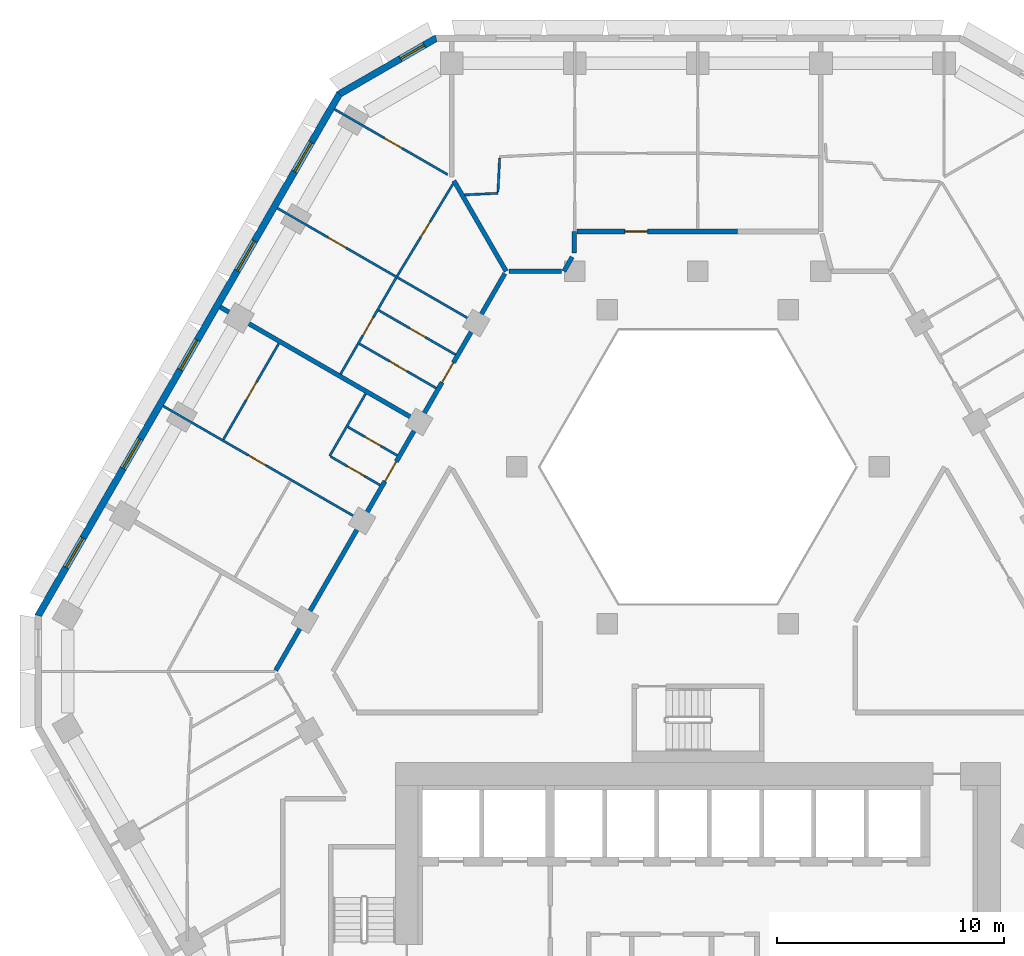
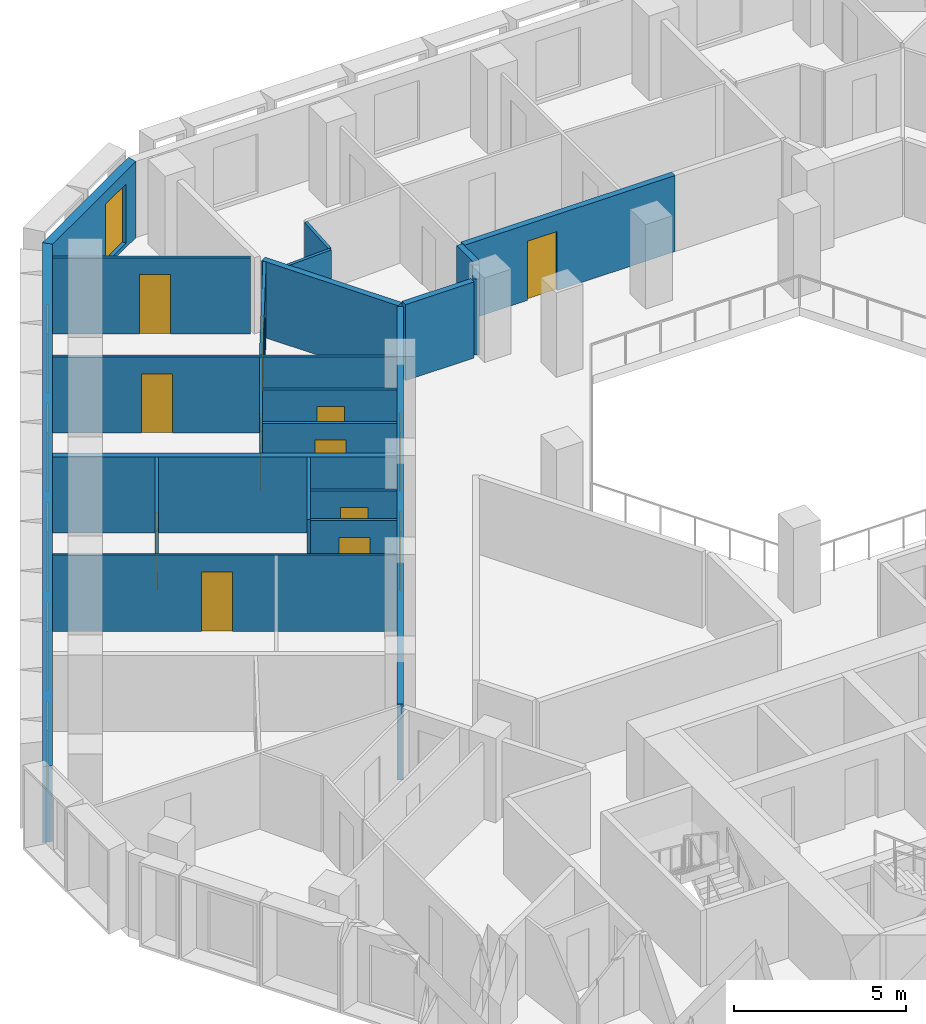
# One storey, part 8 of 16: 22 walls, 13 doors, 6 windows, 19 openings.
"""IFC4 building model written with IfcOpenShell, lengths in metres."""

from ifc_helpers import new_model, si_unit, direction, frame, frame_2d, origin, place, context, subcontext, project, spatial, polyline, rectangle, outline, extrude, material, layer, layer_set, type_object, element, fill, save


model = new_model("IFC4")

# Units and contexts
model_context = context("Model", 3, precision=1e-05, world=origin(), true_north=direction((0.0, 1.0)))
body_context = subcontext(model_context, "Body", "Model", "MODEL_VIEW")
ifc_project = project(units=[si_unit("LENGTHUNIT", "METRE"), si_unit("AREAUNIT", "SQUARE_METRE"), si_unit("VOLUMEUNIT", "CUBIC_METRE"), si_unit("PLANEANGLEUNIT", "RADIAN"), si_unit("MASSUNIT", "GRAM", prefix="KILO")], contexts=[model_context])

# Site, building, storey
site_placement = place(None, origin())
site = spatial("IfcSite", under=ifc_project, at=site_placement, CompositionType="ELEMENT")
building_placement = place(site_placement, origin())
building = spatial("IfcBuilding", under=site, at=building_placement, Name="Beryl Residences", CompositionType="ELEMENT")
storey_placement = place(building_placement, frame((0.0, 0.0, 90.0)))
storey = spatial("IfcBuildingStorey", under=building, at=storey_placement, Name="L27", CompositionType="ELEMENT", Elevation=90.0)

# Wall, opening, window
ifc_material_1 = material(Name="Composite metal panel with mineral wool insulation")
ifc_layer_1 = layer(ifc_material_1, 0.300048828125)
ifc_layer_set_1 = layer_set([ifc_layer_1], Name="ES1 pale metal composite panel wall 300 mm")
wall_type_1 = type_object("IfcWallType", Name="ES1 pale metal composite panel wall 300 mm", PredefinedType="SOLIDWALL", material=ifc_layer_set_1)
wall_1_placement = place(storey_placement, frame((-11.471923828125, 26.8701171875, 0.0), z_axis=(0.0, 0.0, 1.0), x_axis=(-0.866022959057, -0.500004234368, 0.0)))
wall_1 = element("IfcWall", 1, at=wall_1_placement, inside=storey, type_object=wall_type_1, Name="ES1 external wall L27 N-NW", PredefinedType="SOLIDWALL", context=body_context, shape_type="SweptSolid", body=[
    extrude(outline(polyline([(0.0, -0.14990234375), (5.0, -0.14990234375), (4.919677734375, 0.14990234375), (0.080322265625, 0.14990234375), (0.0, -0.14990234375)])), origin(), (0.0, 0.0, 1.0), 2.699951171875),
])
opening_1_placement = place(wall_1_placement, frame((0.64990234375, 0.0, 0.14990234375)))
opening_1 = element("IfcOpeningElement", 2, at=opening_1_placement, cuts=wall_1, Name="Opening W2", PredefinedType="OPENING", context=body_context, shape_type="SweptSolid", body=[
    extrude(rectangle(XDim=1.199951171875, YDim=2.10009765625, at=frame_2d((0.60009765625, 1.050048828125))), frame((0.0, 0.159912109375, 0.0), z_axis=(0.0, -1.0, 0.0), x_axis=(1.0, 0.0, 0.0)), (0.0, 0.0, 1.0), 0.320068359375),
])
ifc_material_2 = material(Name="Aluminium and clear glass", Category="aluminium")
window_type_1 = type_object("IfcWindowType", Name="W2 chamfer window 1200 x 2100 mm", PartitioningType="SINGLE_PANEL", PredefinedType="WINDOW", material=ifc_material_2)
window_1_placement = place(opening_1_placement, origin())
window_1 = element("IfcWindow", 3, at=window_1_placement, inside=storey, type_object=window_type_1, Name="W2 window L27 N-NW 1", OverallHeight=2.10009765625, OverallWidth=1.199951171875, PartitioningType="SINGLE_PANEL", PredefinedType="WINDOW", context=body_context, shape_type="SweptSolid", body=[
    extrude(rectangle(XDim=1.199951171875, YDim=2.10009765625, at=frame_2d((0.60009765625, 1.050048828125))), frame((0.0, 0.030029296875, 0.0), z_axis=(0.0, -1.0, 0.0), x_axis=(1.0, 0.0, 0.0)), (0.0, 0.0, 1.0), 0.06005859375),
])
fill(opening_1, window_1)

# Wall, openings, windows
wall_2_placement = place(storey_placement, frame((-15.7470703125, 24.425048828125, 0.0), z_axis=(0.0, 0.0, 1.0), x_axis=(-0.500027479704, -0.866009537788, 0.0)))
wall_2 = element("IfcWall", 4, at=wall_2_placement, inside=storey, type_object=wall_type_1, Name="ES1 external wall L27 NW", PredefinedType="SOLIDWALL", context=body_context, shape_type="SweptSolid", body=[
    extrude(outline(polyline([(0.0, -0.14990234375), (26.55859375, -0.14990234375), (26.478271484375, 0.14990234375), (0.080322265625, 0.14990234375), (0.0, -0.14990234375)])), origin(), (0.0, 0.0, 1.0), 2.699951171875),
])
opening_2_placement = place(wall_2_placement, frame((2.48291015625, 0.0, 0.14990234375)))
opening_2 = element("IfcOpeningElement", 5, at=opening_2_placement, cuts=wall_2, Name="Opening W1", PredefinedType="OPENING", context=body_context, shape_type="SweptSolid", body=[
    extrude(rectangle(XDim=1.5, YDim=2.10009765625, at=frame_2d((0.75, 1.050048828125))), frame((0.0, 0.159912109375, 0.0), z_axis=(0.0, -1.0, 0.0), x_axis=(1.0, 0.0, 0.0)), (0.0, 0.0, 1.0), 0.320068359375),
])
opening_3_placement = place(wall_2_placement, frame((7.506103515625, 0.0, 0.14990234375)))
opening_3 = element("IfcOpeningElement", 6, at=opening_3_placement, cuts=wall_2, Name="Opening W1", PredefinedType="OPENING", context=body_context, shape_type="SweptSolid", body=[
    extrude(rectangle(XDim=1.5, YDim=2.10009765625, at=frame_2d((0.75, 1.050048828125))), frame((0.0, 0.159912109375, 0.0), z_axis=(0.0, -1.0, 0.0), x_axis=(1.0, 0.0, 0.0)), (0.0, 0.0, 1.0), 0.320068359375),
])
opening_4_placement = place(wall_2_placement, frame((12.529052734375, 0.0, 0.14990234375)))
opening_4 = element("IfcOpeningElement", 7, at=opening_4_placement, cuts=wall_2, Name="Opening W1", PredefinedType="OPENING", context=body_context, shape_type="SweptSolid", body=[
    extrude(rectangle(XDim=1.5, YDim=2.10009765625, at=frame_2d((0.75, 1.050048828125))), frame((0.0, 0.159912109375, 0.0), z_axis=(0.0, -1.0, 0.0), x_axis=(1.0, 0.0, 0.0)), (0.0, 0.0, 1.0), 0.320068359375),
])
opening_5_placement = place(wall_2_placement, frame((17.552001953125, 0.0, 0.14990234375)))
opening_5 = element("IfcOpeningElement", 8, at=opening_5_placement, cuts=wall_2, Name="Opening W1", PredefinedType="OPENING", context=body_context, shape_type="SweptSolid", body=[
    extrude(rectangle(XDim=1.5, YDim=2.10009765625, at=frame_2d((0.75, 1.050048828125))), frame((0.0, 0.159912109375, 0.0), z_axis=(0.0, -1.0, 0.0), x_axis=(1.0, 0.0, 0.0)), (0.0, 0.0, 1.0), 0.320068359375),
])
opening_6_placement = place(wall_2_placement, frame((22.574951171875, 0.0, 0.14990234375)))
opening_6 = element("IfcOpeningElement", 9, at=opening_6_placement, cuts=wall_2, Name="Opening W1", PredefinedType="OPENING", context=body_context, shape_type="SweptSolid", body=[
    extrude(rectangle(XDim=1.5, YDim=2.10009765625, at=frame_2d((0.75, 1.050048828125))), frame((0.0, 0.159912109375, 0.0), z_axis=(0.0, -1.0, 0.0), x_axis=(1.0, 0.0, 0.0)), (0.0, 0.0, 1.0), 0.320068359375),
])
ifc_material_3 = material(Name="Aluminium and clear glass", Category="aluminium")
window_type_2 = type_object("IfcWindowType", Name="W1 cell window 1500 x 2100 mm", PartitioningType="SINGLE_PANEL", PredefinedType="WINDOW", material=ifc_material_3)
window_2_placement = place(opening_2_placement, origin())
window_2 = element("IfcWindow", 10, at=window_2_placement, inside=storey, type_object=window_type_2, Name="W1 window L27 NW 2", OverallHeight=2.10009765625, OverallWidth=1.5, PartitioningType="SINGLE_PANEL", PredefinedType="WINDOW", context=body_context, shape_type="SweptSolid", body=[
    extrude(rectangle(XDim=1.5, YDim=2.10009765625, at=frame_2d((0.75, 1.050048828125))), frame((0.0, 0.030029296875, 0.0), z_axis=(0.0, -1.0, 0.0), x_axis=(1.0, 0.0, 0.0)), (0.0, 0.0, 1.0), 0.06005859375),
])
fill(opening_2, window_2)
window_3_placement = place(opening_3_placement, origin())
window_3 = element("IfcWindow", 11, at=window_3_placement, inside=storey, type_object=window_type_2, Name="W1 window L27 NW 4", OverallHeight=2.10009765625, OverallWidth=1.5, PartitioningType="SINGLE_PANEL", PredefinedType="WINDOW", context=body_context, shape_type="SweptSolid", body=[
    extrude(rectangle(XDim=1.5, YDim=2.10009765625, at=frame_2d((0.75, 1.050048828125))), frame((0.0, 0.030029296875, 0.0), z_axis=(0.0, -1.0, 0.0), x_axis=(1.0, 0.0, 0.0)), (0.0, 0.0, 1.0), 0.06005859375),
])
fill(opening_3, window_3)
window_4_placement = place(opening_4_placement, origin())
window_4 = element("IfcWindow", 12, at=window_4_placement, inside=storey, type_object=window_type_2, Name="W1 window L27 NW 6", OverallHeight=2.10009765625, OverallWidth=1.5, PartitioningType="SINGLE_PANEL", PredefinedType="WINDOW", context=body_context, shape_type="SweptSolid", body=[
    extrude(rectangle(XDim=1.5, YDim=2.10009765625, at=frame_2d((0.75, 1.050048828125))), frame((0.0, 0.030029296875, 0.0), z_axis=(0.0, -1.0, 0.0), x_axis=(1.0, 0.0, 0.0)), (0.0, 0.0, 1.0), 0.06005859375),
])
fill(opening_4, window_4)
window_5_placement = place(opening_5_placement, origin())
window_5 = element("IfcWindow", 13, at=window_5_placement, inside=storey, type_object=window_type_2, Name="W1 window L27 NW 8", OverallHeight=2.10009765625, OverallWidth=1.5, PartitioningType="SINGLE_PANEL", PredefinedType="WINDOW", context=body_context, shape_type="SweptSolid", body=[
    extrude(rectangle(XDim=1.5, YDim=2.10009765625, at=frame_2d((0.75, 1.050048828125))), frame((0.0, 0.030029296875, 0.0), z_axis=(0.0, -1.0, 0.0), x_axis=(1.0, 0.0, 0.0)), (0.0, 0.0, 1.0), 0.06005859375),
])
fill(opening_5, window_5)
window_6_placement = place(opening_6_placement, origin())
window_6 = element("IfcWindow", 14, at=window_6_placement, inside=storey, type_object=window_type_2, Name="W1 window L27 NW 10", OverallHeight=2.10009765625, OverallWidth=1.5, PartitioningType="SINGLE_PANEL", PredefinedType="WINDOW", context=body_context, shape_type="SweptSolid", body=[
    extrude(rectangle(XDim=1.5, YDim=2.10009765625, at=frame_2d((0.75, 1.050048828125))), frame((0.0, 0.030029296875, 0.0), z_axis=(0.0, -1.0, 0.0), x_axis=(1.0, 0.0, 0.0)), (0.0, 0.0, 1.0), 0.06005859375),
])
fill(opening_6, window_6)

# Wall, opening, door
ifc_material_4 = material(Name="Gypsum board partition on steel studs", Category="steel")
ifc_layer_2 = layer(ifc_material_4, 0.10009765625)
ifc_layer_set_2 = layer_set([ifc_layer_2], Name="PT1 partition 100 mm gypsum board on steel studs")
wall_type_2 = type_object("IfcWallType", Name="PT1 partition 100 mm gypsum board on steel studs", PredefinedType="PARTITIONING", material=ifc_layer_set_2)
wall_3_placement = place(storey_placement, frame((-16.14599609375, 8.451904296875, 0.0), z_axis=(0.0, 0.0, 1.0), x_axis=(0.865983051302, -0.500073349477, 0.0)))
wall_3 = element("IfcWall", 15, at=wall_3_placement, inside=storey, type_object=wall_type_2, Name="Wall PT1 L27 018", PredefinedType="PARTITIONING", context=body_context, shape_type="SweptSolid", body=[
    extrude(rectangle(XDim=2.50927734375, YDim=0.10009765625, at=frame_2d((1.254638671875, 0.0))), origin(), (0.0, 0.0, 1.0), 2.699951171875),
])
opening_7_placement = place(wall_3_placement, frame((0.8291015625, 0.0, 0.0)))
opening_7 = element("IfcOpeningElement", 16, at=opening_7_placement, cuts=wall_3, Name="Opening D0945", PredefinedType="OPENING", context=body_context, shape_type="SweptSolid", body=[
    extrude(rectangle(XDim=0.89990234375, YDim=2.10009765625, at=frame_2d((0.449951171875, 1.050048828125))), frame((0.0, 0.06005859375, 0.0), z_axis=(0.0, -1.0, 0.0), x_axis=(1.0, 0.0, 0.0)), (0.0, 0.0, 1.0), 0.1201171875),
])
ifc_material_5 = material(Name="Timber door leaf", Category="wood")
door_type_1 = type_object("IfcDoorType", Name="D2 room door 900 x 2100 mm", OperationType="SINGLE_SWING_LEFT", PredefinedType="DOOR", material=ifc_material_5)
door_1_placement = place(opening_7_placement, origin())
door_1 = element("IfcDoor", 17, at=door_1_placement, inside=storey, type_object=door_type_1, Name="Door D0945 L27 001", OperationType="SINGLE_SWING_LEFT", OverallHeight=2.10009765625, OverallWidth=0.89990234375, PredefinedType="DOOR", context=body_context, shape_type="SweptSolid", body=[
    extrude(rectangle(XDim=0.89990234375, YDim=2.10009765625, at=frame_2d((0.449951171875, 1.050048828125))), frame((0.0, 0.02490234375, 0.0), z_axis=(0.0, -1.0, 0.0), x_axis=(1.0, 0.0, 0.0)), (0.0, 0.0, 1.0), 0.050048828125),
])
fill(opening_7, door_1)

wall_4_placement = place(storey_placement, frame((-23.512939453125, 10.675048828125, 0.0), z_axis=(0.0, 0.0, 1.0), x_axis=(0.866041268327, -0.499972520799, 0.0)))
wall_4 = element("IfcWall", 18, at=wall_4_placement, inside=storey, type_object=wall_type_2, Name="Wall PT1 L27 019", PredefinedType="PARTITIONING", context=body_context, shape_type="SweptSolid", body=[
    extrude(rectangle(XDim=10.00048828125, YDim=0.10009765625, at=frame_2d((5.000244140625, 0.0))), origin(), (0.0, 0.0, 1.0), 2.699951171875),
])
opening_8_placement = place(wall_4_placement, frame((4.324951171875, 0.0, 0.0)))
opening_8 = element("IfcOpeningElement", 19, at=opening_8_placement, cuts=wall_4, Name="Opening D0948", PredefinedType="OPENING", context=body_context, shape_type="SweptSolid", body=[
    extrude(rectangle(XDim=0.89990234375, YDim=2.10009765625, at=frame_2d((0.449951171875, 1.050048828125))), frame((0.0, 0.06005859375, 0.0), z_axis=(0.0, -1.0, 0.0), x_axis=(1.0, 0.0, 0.0)), (0.0, 0.0, 1.0), 0.1201171875),
])
door_2_placement = place(opening_8_placement, origin())
door_2 = element("IfcDoor", 20, at=door_2_placement, inside=storey, type_object=door_type_1, Name="Door D0948 L27 001", OperationType="SINGLE_SWING_RIGHT", OverallHeight=2.10009765625, OverallWidth=0.89990234375, PredefinedType="DOOR", context=body_context, shape_type="SweptSolid", body=[
    extrude(rectangle(XDim=0.89990234375, YDim=2.10009765625, at=frame_2d((0.449951171875, 1.050048828125))), frame((0.0, 0.02490234375, 0.0), z_axis=(0.0, -1.0, 0.0), x_axis=(1.0, 0.0, 0.0)), (0.0, 0.0, 1.0), 0.050048828125),
])
fill(opening_8, door_2)

wall_5_placement = place(storey_placement, frame((-14.884033203125, 13.412109375, 0.0), z_axis=(0.0, 0.0, 1.0), x_axis=(0.866024880635, -0.500000906121, 0.0)))
wall_5 = element("IfcWall", 21, at=wall_5_placement, inside=storey, type_object=wall_type_2, Name="Wall PT1 L27 021", PredefinedType="PARTITIONING", context=body_context, shape_type="SweptSolid", body=[
    extrude(rectangle(XDim=3.89599609375, YDim=0.10009765625, at=frame_2d((1.947998046875, 0.0))), origin(), (0.0, 0.0, 1.0), 2.699951171875),
])
opening_9_placement = place(wall_5_placement, frame((1.52294921875, 0.0, 0.0)))
opening_9 = element("IfcOpeningElement", 22, at=opening_9_placement, cuts=wall_5, Name="Opening D0939", PredefinedType="OPENING", context=body_context, shape_type="SweptSolid", body=[
    extrude(rectangle(XDim=0.89990234375, YDim=2.10009765625, at=frame_2d((0.449951171875, 1.050048828125))), frame((0.0, 0.06005859375, 0.0), z_axis=(0.0, -1.0, 0.0), x_axis=(1.0, 0.0, 0.0)), (0.0, 0.0, 1.0), 0.1201171875),
])
door_3_placement = place(opening_9_placement, origin())
door_3 = element("IfcDoor", 23, at=door_3_placement, inside=storey, type_object=door_type_1, Name="Door D0939 L27 001", OperationType="SINGLE_SWING_LEFT", OverallHeight=2.10009765625, OverallWidth=0.89990234375, PredefinedType="DOOR", context=body_context, shape_type="SweptSolid", body=[
    extrude(rectangle(XDim=0.89990234375, YDim=2.10009765625, at=frame_2d((0.449951171875, 1.050048828125))), frame((0.0, 0.02490234375, 0.0), z_axis=(0.0, -1.0, 0.0), x_axis=(1.0, 0.0, 0.0)), (0.0, 0.0, 1.0), 0.050048828125),
])
fill(opening_9, door_3)

wall_6_placement = place(storey_placement, frame((-14.033935546875, 14.884033203125, 0.0), z_axis=(0.0, 0.0, 1.0), x_axis=(0.866024880635, -0.500000906121, 0.0)))
wall_6 = element("IfcWall", 24, at=wall_6_placement, inside=storey, type_object=wall_type_2, Name="Wall PT1 L27 022", PredefinedType="PARTITIONING", context=body_context, shape_type="SweptSolid", body=[
    extrude(rectangle(XDim=3.89599609375, YDim=0.10009765625, at=frame_2d((1.947998046875, 0.0))), origin(), (0.0, 0.0, 1.0), 2.699951171875),
])
opening_10_placement = place(wall_6_placement, frame((1.572998046875, 0.0, 0.0)))
opening_10 = element("IfcOpeningElement", 25, at=opening_10_placement, cuts=wall_6, Name="Opening D0938", PredefinedType="OPENING", context=body_context, shape_type="SweptSolid", body=[
    extrude(rectangle(XDim=0.800048828125, YDim=2.10009765625, at=frame_2d((0.39990234375, 1.050048828125))), frame((0.0, 0.06005859375, 0.0), z_axis=(0.0, -1.0, 0.0), x_axis=(1.0, 0.0, 0.0)), (0.0, 0.0, 1.0), 0.1201171875),
])
ifc_material_6 = material(Name="Timber door leaf", Category="wood")
door_type_2 = type_object("IfcDoorType", Name="D3 bathroom door 800 x 2100 mm", OperationType="SINGLE_SWING_LEFT", PredefinedType="DOOR", material=ifc_material_6)
door_4_placement = place(opening_10_placement, origin())
door_4 = element("IfcDoor", 26, at=door_4_placement, inside=storey, type_object=door_type_2, Name="Door D0938 L27 001", OperationType="SINGLE_SWING_RIGHT", OverallHeight=2.10009765625, OverallWidth=0.800048828125, PredefinedType="DOOR", context=body_context, shape_type="SweptSolid", body=[
    extrude(rectangle(XDim=0.800048828125, YDim=2.10009765625, at=frame_2d((0.39990234375, 1.050048828125))), frame((0.0, 0.02490234375, 0.0), z_axis=(0.0, -1.0, 0.0), x_axis=(1.0, 0.0, 0.0)), (0.0, 0.0, 1.0), 0.050048828125),
])
fill(opening_10, door_4)

wall_7_placement = place(storey_placement, frame((-15.39404296875, 9.757080078125, 0.0), z_axis=(0.0, 0.0, 1.0), x_axis=(0.866038211682, -0.499977815414, 0.0)))
wall_7 = element("IfcWall", 27, at=wall_7_placement, inside=storey, type_object=wall_type_2, Name="Wall PT1 L27 023", PredefinedType="PARTITIONING", context=body_context, shape_type="SweptSolid", body=[
    extrude(rectangle(XDim=2.51025390625, YDim=0.10009765625, at=frame_2d((1.255126953125, 0.0))), origin(), (0.0, 0.0, 1.0), 2.699951171875),
])
opening_11_placement = place(wall_7_placement, frame((0.8798828125, 0.0, 0.0)))
opening_11 = element("IfcOpeningElement", 28, at=opening_11_placement, cuts=wall_7, Name="Opening D0946", PredefinedType="OPENING", context=body_context, shape_type="SweptSolid", body=[
    extrude(rectangle(XDim=0.800048828125, YDim=2.10009765625, at=frame_2d((0.39990234375, 1.050048828125))), frame((0.0, 0.06005859375, 0.0), z_axis=(0.0, -1.0, 0.0), x_axis=(1.0, 0.0, 0.0)), (0.0, 0.0, 1.0), 0.1201171875),
])
door_5_placement = place(opening_11_placement, origin())
door_5 = element("IfcDoor", 29, at=door_5_placement, inside=storey, type_object=door_type_2, Name="Door D0946 L27 001", OperationType="SINGLE_SWING_RIGHT", OverallHeight=2.10009765625, OverallWidth=0.800048828125, PredefinedType="DOOR", context=body_context, shape_type="SweptSolid", body=[
    extrude(rectangle(XDim=0.800048828125, YDim=2.10009765625, at=frame_2d((0.39990234375, 1.050048828125))), frame((0.0, 0.02490234375, 0.0), z_axis=(0.0, -1.0, 0.0), x_axis=(1.0, 0.0, 0.0)), (0.0, 0.0, 1.0), 0.050048828125),
])
fill(opening_11, door_5)

wall_8_placement = place(storey_placement, frame((-18.489013671875, 19.375, 0.0), z_axis=(0.0, 0.0, 1.0), x_axis=(0.866016855193, -0.500014806302, 0.0)))
wall_8 = element("IfcWall", 30, at=wall_8_placement, inside=storey, type_object=wall_type_2, Name="Wall PT1 L27 024", PredefinedType="PARTITIONING", context=body_context, shape_type="SweptSolid", body=[
    extrude(rectangle(XDim=9.999755859375, YDim=0.10009765625, at=frame_2d((5.0, 0.0))), origin(), (0.0, 0.0, 1.0), 2.699951171875),
])
opening_12_placement = place(wall_8_placement, frame((2.576904296875, 0.0, 0.0)))
opening_12 = element("IfcOpeningElement", 31, at=opening_12_placement, cuts=wall_8, Name="Opening D0941", PredefinedType="OPENING", context=body_context, shape_type="SweptSolid", body=[
    extrude(rectangle(XDim=0.89990234375, YDim=2.10009765625, at=frame_2d((0.449951171875, 1.050048828125))), frame((0.0, 0.06005859375, 0.0), z_axis=(0.0, -1.0, 0.0), x_axis=(1.0, 0.0, 0.0)), (0.0, 0.0, 1.0), 0.1201171875),
])
door_6_placement = place(opening_12_placement, origin())
door_6 = element("IfcDoor", 32, at=door_6_placement, inside=storey, type_object=door_type_1, Name="Door D0941 L27 001", OperationType="SINGLE_SWING_LEFT", OverallHeight=2.10009765625, OverallWidth=0.89990234375, PredefinedType="DOOR", context=body_context, shape_type="SweptSolid", body=[
    extrude(rectangle(XDim=0.89990234375, YDim=2.10009765625, at=frame_2d((0.449951171875, 1.050048828125))), frame((0.0, 0.02490234375, 0.0), z_axis=(0.0, -1.0, 0.0), x_axis=(1.0, 0.0, 0.0)), (0.0, 0.0, 1.0), 0.050048828125),
])
fill(opening_12, door_6)

wall_9_placement = place(storey_placement, frame((-15.97705078125, 23.72509765625, 0.0), z_axis=(0.0, 0.0, 1.0), x_axis=(0.866028566888, -0.499994521305, 0.0)))
wall_9 = element("IfcWall", 33, at=wall_9_placement, inside=storey, type_object=wall_type_2, Name="Wall PT1 L27 025", PredefinedType="PARTITIONING", context=body_context, shape_type="SweptSolid", body=[
    extrude(rectangle(XDim=5.748046875, YDim=0.10009765625, at=frame_2d((2.8740234375, 0.0))), origin(), (0.0, 0.0, 1.0), 2.699951171875),
])
opening_13_placement = place(wall_9_placement, frame((2.52392578125, 0.0, 0.0)))
opening_13 = element("IfcOpeningElement", 34, at=opening_13_placement, cuts=wall_9, Name="Opening D0942", PredefinedType="OPENING", context=body_context, shape_type="SweptSolid", body=[
    extrude(rectangle(XDim=0.89990234375, YDim=2.10009765625, at=frame_2d((0.449951171875, 1.050048828125))), frame((0.0, 0.06005859375, 0.0), z_axis=(0.0, -1.0, 0.0), x_axis=(1.0, 0.0, 0.0)), (0.0, 0.0, 1.0), 0.1201171875),
])
door_7_placement = place(opening_13_placement, origin())
door_7 = element("IfcDoor", 35, at=door_7_placement, inside=storey, type_object=door_type_1, Name="Door D0942 L27 001", OperationType="SINGLE_SWING_RIGHT", OverallHeight=2.10009765625, OverallWidth=0.89990234375, PredefinedType="DOOR", context=body_context, shape_type="SweptSolid", body=[
    extrude(rectangle(XDim=0.89990234375, YDim=2.10009765625, at=frame_2d((0.449951171875, 1.050048828125))), frame((0.0, 0.02490234375, 0.0), z_axis=(0.0, -1.0, 0.0), x_axis=(1.0, 0.0, 0.0)), (0.0, 0.0, 1.0), 0.050048828125),
])
fill(opening_13, door_7)

wall_10_placement = place(storey_placement, frame((-13.220947265625, 16.39111328125, 0.0), z_axis=(0.0, 0.0, 1.0), x_axis=(0.518164725284, 0.855280841286, 0.0)))
wall_10 = element("IfcWall", 36, at=wall_10_placement, inside=storey, type_object=wall_type_2, Name="Wall PT1 L27 032", PredefinedType="PARTITIONING", context=body_context, shape_type="SweptSolid", body=[
    extrude(rectangle(XDim=4.739990234375, YDim=0.10009765625, at=frame_2d((2.3701171875, 0.0))), origin(), (0.0, 0.0, 1.0), 2.699951171875),
])
opening_14_placement = place(wall_10_placement, frame((2.001953125, 0.0, 0.0)))
opening_14 = element("IfcOpeningElement", 37, at=opening_14_placement, cuts=wall_10, Name="Opening D0943", PredefinedType="OPENING", context=body_context, shape_type="SweptSolid", body=[
    extrude(rectangle(XDim=0.800048828125, YDim=2.10009765625, at=frame_2d((0.39990234375, 1.050048828125))), frame((0.0, 0.06005859375, 0.0), z_axis=(0.0, -1.0, 0.0), x_axis=(1.0, 0.0, 0.0)), (0.0, 0.0, 1.0), 0.1201171875),
])
door_8_placement = place(opening_14_placement, origin())
door_8 = element("IfcDoor", 38, at=door_8_placement, inside=storey, type_object=door_type_2, Name="Door D0943 L27 001", OperationType="SINGLE_SWING_LEFT", OverallHeight=2.10009765625, OverallWidth=0.800048828125, PredefinedType="DOOR", context=body_context, shape_type="SweptSolid", body=[
    extrude(rectangle(XDim=0.800048828125, YDim=2.10009765625, at=frame_2d((0.39990234375, 1.050048828125))), frame((0.0, 0.02490234375, 0.0), z_axis=(0.0, -1.0, 0.0), x_axis=(1.0, 0.0, 0.0)), (0.0, 0.0, 1.0), 0.050048828125),
])
fill(opening_14, door_8)

# Wall
wall_11_placement = place(storey_placement, frame((-16.18994140625, 8.47802734375, 0.0), z_axis=(0.0, 0.0, 1.0), x_axis=(0.500156715107, 0.865934905367, 0.0)))
element("IfcWall", 39, at=wall_11_placement, inside=storey, type_object=wall_type_2, Name="Wall PT1 L27 036", PredefinedType="PARTITIONING", context=body_context, shape_type="SweptSolid", body=[
    extrude(rectangle(XDim=3.1630859375, YDim=0.10009765625, at=frame_2d((1.58154296875, 0.0))), origin(), (0.0, 0.0, 1.0), 2.699951171875),
])

# Wall, opening, door
wall_12_placement = place(storey_placement, frame((-15.7080078125, 12.0849609375, 0.0), z_axis=(0.0, 0.0, 1.0), x_axis=(0.499943653708, 0.866057932887, 0.0)))
wall_12 = element("IfcWall", 40, at=wall_12_placement, inside=storey, type_object=wall_type_2, Name="Wall PT1 L27 038", PredefinedType="PARTITIONING", context=body_context, shape_type="SweptSolid", body=[
    extrude(rectangle(XDim=4.87255859375, YDim=0.10009765625, at=frame_2d((2.436279296875, 0.0))), origin(), (0.0, 0.0, 1.0), 2.699951171875),
])
opening_15_placement = place(wall_12_placement, frame((1.9619140625, 0.0, 0.0)))
opening_15 = element("IfcOpeningElement", 41, at=opening_15_placement, cuts=wall_12, Name="Opening D0940", PredefinedType="OPENING", context=body_context, shape_type="SweptSolid", body=[
    extrude(rectangle(XDim=0.89990234375, YDim=2.10009765625, at=frame_2d((0.449951171875, 1.050048828125))), frame((0.0, 0.06005859375, 0.0), z_axis=(0.0, -1.0, 0.0), x_axis=(1.0, 0.0, 0.0)), (0.0, 0.0, 1.0), 0.1201171875),
])
door_9_placement = place(opening_15_placement, origin())
door_9 = element("IfcDoor", 42, at=door_9_placement, inside=storey, type_object=door_type_1, Name="Door D0940 L27 001", OperationType="SINGLE_SWING_RIGHT", OverallHeight=2.10009765625, OverallWidth=0.89990234375, PredefinedType="DOOR", context=body_context, shape_type="SweptSolid", body=[
    extrude(rectangle(XDim=0.89990234375, YDim=2.10009765625, at=frame_2d((0.449951171875, 1.050048828125))), frame((0.0, 0.02490234375, 0.0), z_axis=(0.0, -1.0, 0.0), x_axis=(1.0, 0.0, 0.0)), (0.0, 0.0, 1.0), 0.050048828125),
])
fill(opening_15, door_9)

wall_13_placement = place(storey_placement, frame((-20.864013671875, 9.202880859375, 0.0), z_axis=(0.0, 0.0, 1.0), x_axis=(0.500072260509, 0.86598368014, 0.0)))
wall_13 = element("IfcWall", 43, at=wall_13_placement, inside=storey, type_object=wall_type_2, Name="Wall PT1 L27 039", PredefinedType="PARTITIONING", context=body_context, shape_type="SweptSolid", body=[
    extrude(rectangle(XDim=4.873291015625, YDim=0.10009765625, at=frame_2d((2.4365234375, 0.0))), origin(), (0.0, 0.0, 1.0), 2.699951171875),
])
opening_16_placement = place(wall_13_placement, frame((2.011962890625, 0.0, 0.0)))
opening_16 = element("IfcOpeningElement", 44, at=opening_16_placement, cuts=wall_13, Name="Opening D0947", PredefinedType="OPENING", context=body_context, shape_type="SweptSolid", body=[
    extrude(rectangle(XDim=0.89990234375, YDim=2.10009765625, at=frame_2d((0.449951171875, 1.050048828125))), frame((0.0, 0.06005859375, 0.0), z_axis=(0.0, -1.0, 0.0), x_axis=(1.0, 0.0, 0.0)), (0.0, 0.0, 1.0), 0.1201171875),
])
door_10_placement = place(opening_16_placement, origin())
door_10 = element("IfcDoor", 45, at=door_10_placement, inside=storey, type_object=door_type_1, Name="Door D0947 L27 001", OperationType="SINGLE_SWING_LEFT", OverallHeight=2.10009765625, OverallWidth=0.89990234375, PredefinedType="DOOR", context=body_context, shape_type="SweptSolid", body=[
    extrude(rectangle(XDim=0.89990234375, YDim=2.10009765625, at=frame_2d((0.449951171875, 1.050048828125))), frame((0.0, 0.02490234375, 0.0), z_axis=(0.0, -1.0, 0.0), x_axis=(1.0, 0.0, 0.0)), (0.0, 0.0, 1.0), 0.050048828125),
])
fill(opening_16, door_10)

# Walls
wall_14_placement = place(storey_placement, frame((-8.7900390625, 20.0810546875, 0.0), z_axis=(0.0, 0.0, 1.0), x_axis=(0.049097109821, 0.998794009697, 0.0)))
element("IfcWall", 46, at=wall_14_placement, inside=storey, type_object=wall_type_2, Name="Wall PT1 L27 043", PredefinedType="PARTITIONING", context=body_context, shape_type="SweptSolid", body=[
    extrude(rectangle(XDim=1.506591796875, YDim=0.10009765625, at=frame_2d((0.75341796875, 0.0))), origin(), (0.0, 0.0, 1.0), 2.699951171875),
])
wall_15_placement = place(storey_placement, frame((-10.25390625, 19.9609375, 0.0), z_axis=(0.0, 0.0, 1.0), x_axis=(0.998851840647, 0.047906162812, 0.0)))
element("IfcWall", 47, at=wall_15_placement, inside=storey, type_object=wall_type_2, Name="Wall PT1 L27 057", PredefinedType="PARTITIONING", context=body_context, shape_type="SweptSolid", body=[
    extrude(rectangle(XDim=1.462646484375, YDim=0.10009765625, at=frame_2d((0.7314453125, 0.0))), origin(), (0.0, 0.0, 1.0), 2.699951171875),
])
ifc_material_7 = material(Name="Acoustic double stud gypsum board wall")
ifc_layer_3 = layer(ifc_material_7, 0.199951171875)
ifc_layer_set_3 = layer_set([ifc_layer_3], Name="PT3 party wall 200 mm acoustic double stud")
wall_type_3 = type_object("IfcWallType", Name="PT3 party wall 200 mm acoustic double stud", PredefinedType="PARTITIONING", material=ifc_layer_set_3)
wall_16_placement = place(storey_placement, frame((-10.72705078125, 20.580078125, 0.0), z_axis=(0.0, 0.0, 1.0), x_axis=(0.500041272028, -0.866001574057, 0.0)))
element("IfcWall", 48, at=wall_16_placement, inside=storey, type_object=wall_type_3, Name="Wall PT3 L27 001", PredefinedType="PARTITIONING", context=body_context, shape_type="SweptSolid", body=[
    extrude(rectangle(XDim=4.595703125, YDim=0.199951171875, at=frame_2d((2.2978515625, 0.0))), origin(), (0.0, 0.0, 1.0), 2.699951171875),
])
wall_17_placement = place(storey_placement, frame((-21.0009765625, 15.02490234375, 0.0), z_axis=(0.0, 0.0, 1.0), x_axis=(0.866016855193, -0.500014806302, 0.0)))
element("IfcWall", 49, at=wall_17_placement, inside=storey, type_object=wall_type_3, Name="Wall PT3 L27 005", PredefinedType="PARTITIONING", context=body_context, shape_type="SweptSolid", body=[
    extrude(rectangle(XDim=9.999755859375, YDim=0.199951171875, at=frame_2d((5.0, 0.0))), origin(), (0.0, 0.0, 1.0), 2.699951171875),
])
ifc_material_8 = material(Name="Double stud gypsum board wall")
ifc_layer_4 = layer(ifc_material_8, 0.199951171875)
ifc_layer_set_4 = layer_set([ifc_layer_4], Name="PT4 corridor wall 200 mm double stud")
wall_type_4 = type_object("IfcWallType", Name="PT4 corridor wall 200 mm double stud", PredefinedType="PARTITIONING", material=ifc_layer_set_4)
wall_18_placement = place(storey_placement, frame((-8.31396484375, 16.60009765625, 0.0), z_axis=(0.0, 0.0, 1.0), x_axis=(1.0, 0.0, 0.0)))
element("IfcWall", 50, at=wall_18_placement, inside=storey, type_object=wall_type_4, Name="Wall PT4 L27 019", PredefinedType="PARTITIONING", context=body_context, shape_type="SweptSolid", body=[
    extrude(rectangle(XDim=2.30908203125, YDim=0.199951171875, at=frame_2d((1.154541015625, 0.0))), origin(), (0.0, 0.0, 1.0), 2.699951171875),
])

# Wall, opening, door
wall_19_placement = place(storey_placement, frame((-5.31396484375, 18.35009765625, 0.0), z_axis=(0.0, 0.0, 1.0), x_axis=(1.0, 0.0, 0.0)))
wall_19 = element("IfcWall", 51, at=wall_19_placement, inside=storey, type_object=wall_type_4, Name="Wall PT4 L27 022", PredefinedType="PARTITIONING", context=body_context, shape_type="SweptSolid", body=[
    extrude(rectangle(XDim=7.06298828125, YDim=0.199951171875, at=frame_2d((3.531494140625, 0.0))), origin(), (0.0, 0.0, 1.0), 2.699951171875),
])
opening_17_placement = place(wall_19_placement, frame((2.10595703125, 0.0, 0.0)))
opening_17 = element("IfcOpeningElement", 52, at=opening_17_placement, cuts=wall_19, Name="Opening D0931", PredefinedType="OPENING", context=body_context, shape_type="SweptSolid", body=[
    extrude(rectangle(XDim=1.0, YDim=2.10009765625, at=frame_2d((0.5, 1.050048828125))), frame((0.0, 0.10986328125, 0.0), z_axis=(0.0, -1.0, 0.0), x_axis=(1.0, 0.0, 0.0)), (0.0, 0.0, 1.0), 0.219970703125),
])
ifc_material_9 = material(Name="Timber door leaf", Category="wood")
door_type_3 = type_object("IfcDoorType", Name="D1 flat entrance door 1000 x 2100 mm", OperationType="SINGLE_SWING_LEFT", PredefinedType="DOOR", material=ifc_material_9)
door_11_placement = place(opening_17_placement, origin())
door_11 = element("IfcDoor", 53, at=door_11_placement, inside=storey, type_object=door_type_3, Name="Door D0931 L27 001", OperationType="SINGLE_SWING_LEFT", OverallHeight=2.10009765625, OverallWidth=1.0, PredefinedType="DOOR", context=body_context, shape_type="SweptSolid", body=[
    extrude(rectangle(XDim=1.0, YDim=2.10009765625, at=frame_2d((0.5, 1.050048828125))), frame((0.0, 0.02490234375, 0.0), z_axis=(0.0, -1.0, 0.0), x_axis=(1.0, 0.0, 0.0)), (0.0, 0.0, 1.0), 0.050048828125),
])
fill(opening_17, door_11)

# Wall
wall_20_placement = place(storey_placement, frame((-5.888916015625, 16.60009765625, 0.0), z_axis=(0.0, 0.0, 1.0), x_axis=(0.499839240638, 0.866118198353, 0.0)))
element("IfcWall", 54, at=wall_20_placement, inside=storey, type_object=wall_type_4, Name="Wall PT4 L27 027", PredefinedType="PARTITIONING", context=body_context, shape_type="SweptSolid", body=[
    extrude(rectangle(XDim=0.723876953125, YDim=0.199951171875, at=frame_2d((0.36181640625, 0.0))), origin(), (0.0, 0.0, 1.0), 2.699951171875),
])

# Wall, openings, doors
wall_21_placement = place(storey_placement, frame((-18.56201171875, -0.950927734375, 0.0), z_axis=(0.0, 0.0, 1.0), x_axis=(0.499987097491, 0.866032852923, 0.0)))
wall_21 = element("IfcWall", 55, at=wall_21_placement, inside=storey, type_object=wall_type_4, Name="Wall PT4 L27 028", PredefinedType="PARTITIONING", context=body_context, shape_type="SweptSolid", body=[
    extrude(rectangle(XDim=20.150390625, YDim=0.199951171875, at=frame_2d((10.0751953125, 0.0))), origin(), (0.0, 0.0, 1.0), 2.699951171875),
])
opening_18_placement = place(wall_21_placement, frame((14.626953125, 0.0, 0.0)))
opening_18 = element("IfcOpeningElement", 56, at=opening_18_placement, cuts=wall_21, Name="Opening D0937", PredefinedType="OPENING", context=body_context, shape_type="SweptSolid", body=[
    extrude(rectangle(XDim=1.0, YDim=2.10009765625, at=frame_2d((0.5, 1.050048828125))), frame((0.0, 0.10986328125, 0.0), z_axis=(0.0, -1.0, 0.0), x_axis=(1.0, 0.0, 0.0)), (0.0, 0.0, 1.0), 0.219970703125),
])
opening_19_placement = place(wall_21_placement, frame((9.60400390625, 0.0, 0.0)))
opening_19 = element("IfcOpeningElement", 57, at=opening_19_placement, cuts=wall_21, Name="Opening D0944", PredefinedType="OPENING", context=body_context, shape_type="SweptSolid", body=[
    extrude(rectangle(XDim=1.0, YDim=2.10009765625, at=frame_2d((0.5, 1.050048828125))), frame((0.0, 0.10986328125, 0.0), z_axis=(0.0, -1.0, 0.0), x_axis=(1.0, 0.0, 0.0)), (0.0, 0.0, 1.0), 0.219970703125),
])
door_12_placement = place(opening_18_placement, origin())
door_12 = element("IfcDoor", 58, at=door_12_placement, inside=storey, type_object=door_type_3, Name="Door D0937 L27 001", OperationType="SINGLE_SWING_LEFT", OverallHeight=2.10009765625, OverallWidth=1.0, PredefinedType="DOOR", context=body_context, shape_type="SweptSolid", body=[
    extrude(rectangle(XDim=1.0, YDim=2.10009765625, at=frame_2d((0.5, 1.050048828125))), frame((0.0, 0.02490234375, 0.0), z_axis=(0.0, -1.0, 0.0), x_axis=(1.0, 0.0, 0.0)), (0.0, 0.0, 1.0), 0.050048828125),
])
fill(opening_18, door_12)
door_13_placement = place(opening_19_placement, origin())
door_13 = element("IfcDoor", 59, at=door_13_placement, inside=storey, type_object=door_type_3, Name="Door D0944 L27 001", OperationType="SINGLE_SWING_RIGHT", OverallHeight=2.10009765625, OverallWidth=1.0, PredefinedType="DOOR", context=body_context, shape_type="SweptSolid", body=[
    extrude(rectangle(XDim=1.0, YDim=2.10009765625, at=frame_2d((0.5, 1.050048828125))), frame((0.0, 0.02490234375, 0.0), z_axis=(0.0, -1.0, 0.0), x_axis=(1.0, 0.0, 0.0)), (0.0, 0.0, 1.0), 0.050048828125),
])
fill(opening_19, door_13)

# Wall
wall_22_placement = place(storey_placement, frame((-5.427001953125, 17.39990234375, 0.0), z_axis=(0.0, 0.0, 1.0), x_axis=(0.0, 1.0, 0.0)))
element("IfcWall", 60, at=wall_22_placement, inside=storey, type_object=wall_type_4, Name="Wall PT4 L27 032", PredefinedType="PARTITIONING", context=body_context, shape_type="SweptSolid", body=[
    extrude(rectangle(XDim=0.9501953125, YDim=0.199951171875, at=frame_2d((0.47509765625, 0.0))), origin(), (0.0, 0.0, 1.0), 2.699951171875),
])

save(model, "model.ifc")
